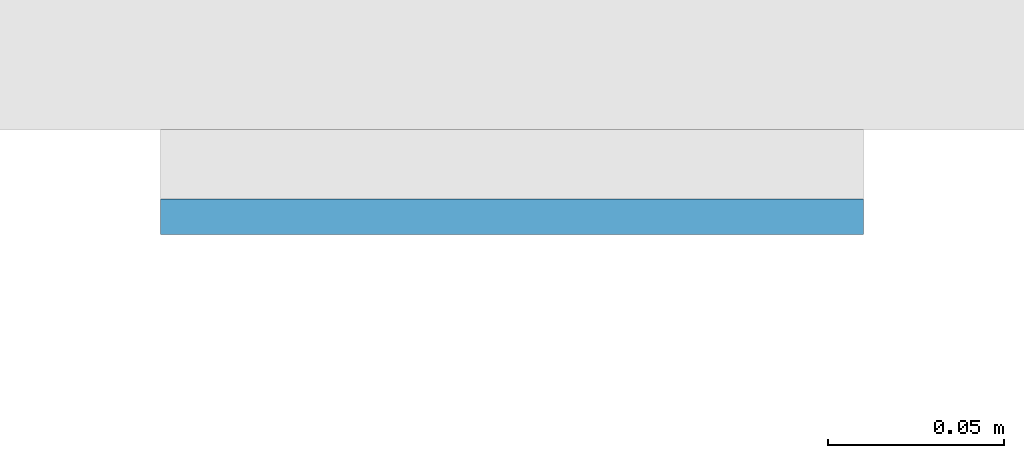
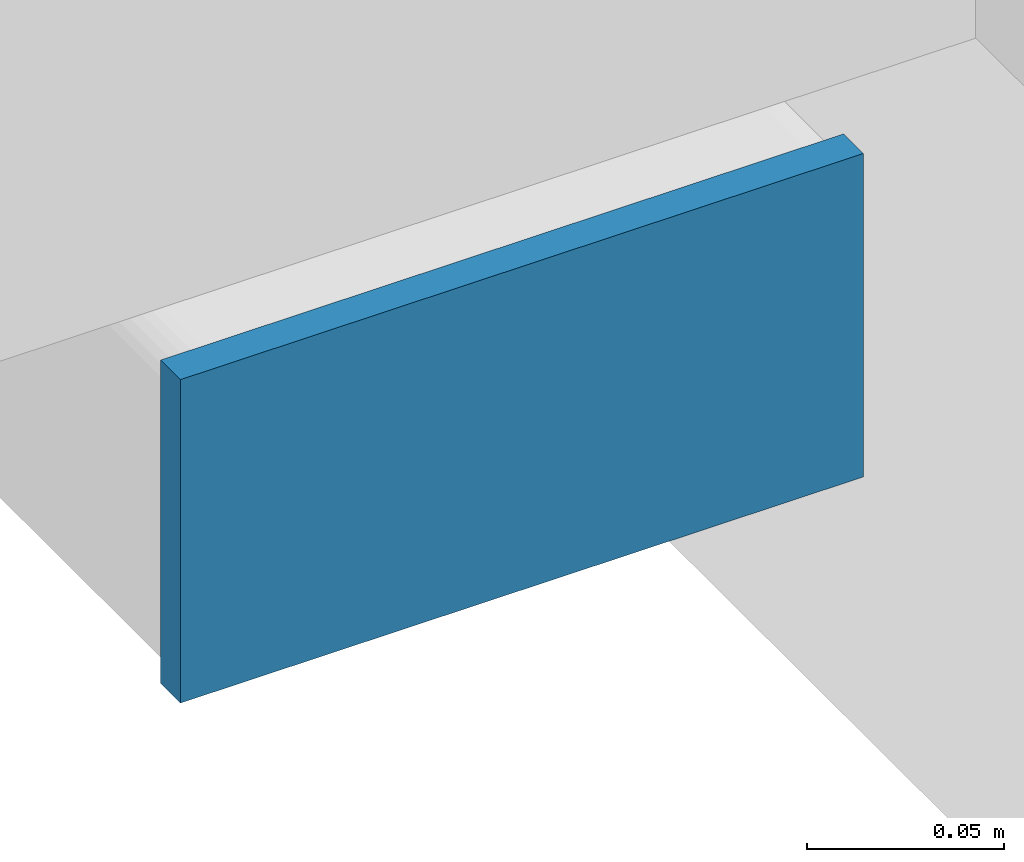
# One storey, part 8 of 20: 1 plate.
"""IFC4 building model written with IfcOpenShell, lengths in metres."""

from ifc_helpers import new_model, si_unit, direction, frame, origin, origin_2d, place, context, subcontext, project, spatial, rectangle, extrude, material, layer, layer_set, type_object, element, save


model = new_model("IFC4")

# Units and contexts
model_context = context("Model", 3, precision=1e-05, world=origin(), true_north=direction((0.0, 1.0)))
body_context = subcontext(model_context, "Body", "Model", "MODEL_VIEW")
ifc_project = project(units=[si_unit("LENGTHUNIT", "METRE"), si_unit("AREAUNIT", "SQUARE_METRE"), si_unit("VOLUMEUNIT", "CUBIC_METRE"), si_unit("PLANEANGLEUNIT", "RADIAN"), si_unit("MASSUNIT", "GRAM", prefix="KILO")], contexts=[model_context])

# Site, building, storey
site_placement = place(None, origin())
site = spatial("IfcSite", under=ifc_project, at=site_placement, CompositionType="ELEMENT")
building_placement = place(site_placement, origin())
building = spatial("IfcBuilding", under=site, at=building_placement, Name="Cleftline Residences", CompositionType="ELEMENT")
storey_placement = place(building_placement, frame((0.0, 0.0, 44.0)))
storey = spatial("IfcBuildingStorey", under=building, at=storey_placement, Name="L10", CompositionType="ELEMENT", Elevation=44.0)

# Plate
ifc_material = material(Name="Steel S355, hot-dip galvanised", Category="steel")
ifc_layer = layer(ifc_material, 0.010009765625)
ifc_layer_set = layer_set([ifc_layer], Name="BAGUETTE CARRIER END PLATE 200X100X10")
plate_type = type_object("IfcPlateType", Name="BAGUETTE CARRIER END PLATE 200X100X10", PredefinedType="USERDEFINED", material=ifc_layer_set)
plate_placement = place(storey_placement, frame((-0.85009765625, 3.695068359375, -0.10009765625), z_axis=(0.0, 0.0, 1.0), x_axis=(-1.0, 0.0, 0.0)))
element("IfcPlate", 1, at=plate_placement, inside=storey, type_object=plate_type, Name="Baguette carrier end plate", ObjectType="BAGUETTE CARRIER END PLATE", PredefinedType="USERDEFINED", context=body_context, shape_type="SweptSolid", body=[
    extrude(rectangle(XDim=0.199951171875, YDim=0.010009765625, at=origin_2d()), origin(), (0.0, 0.0, 1.0), 0.10009765625),
])

save(model, "model.ifc")
